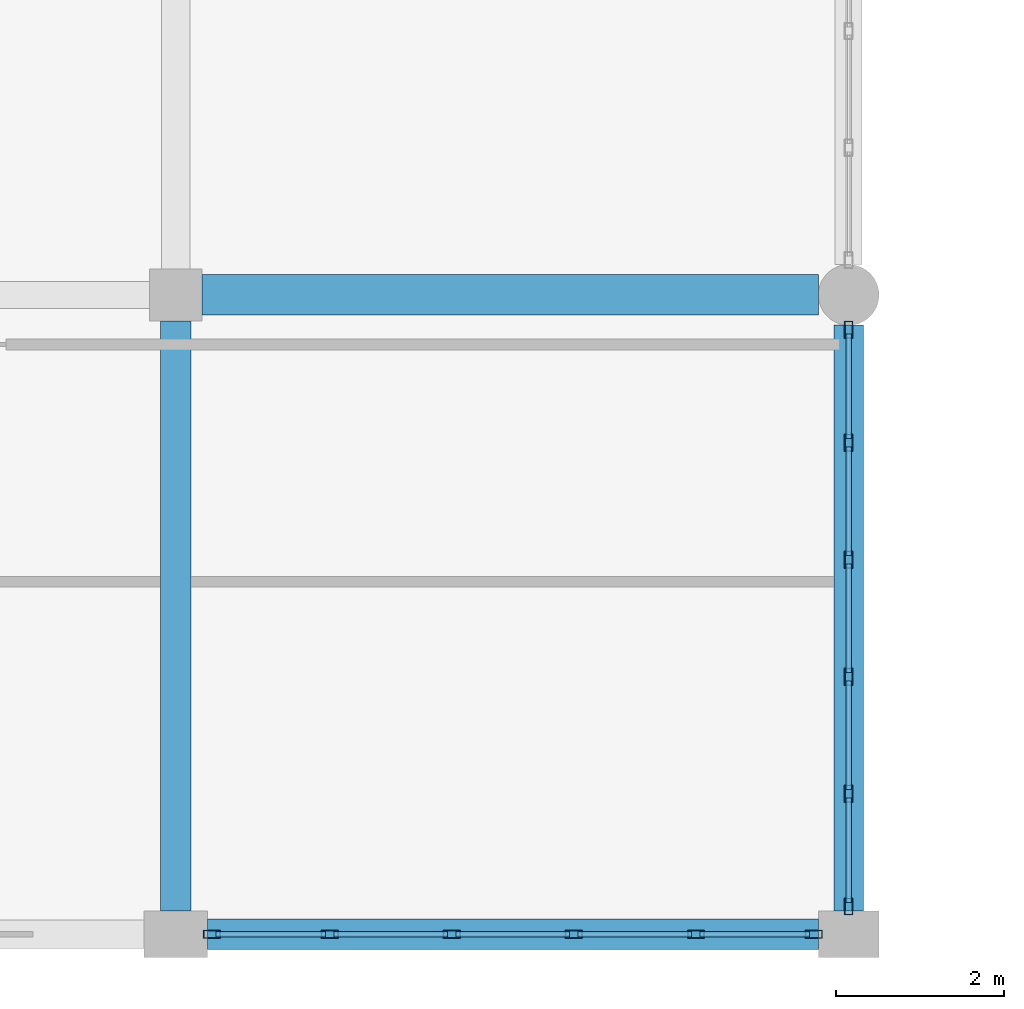
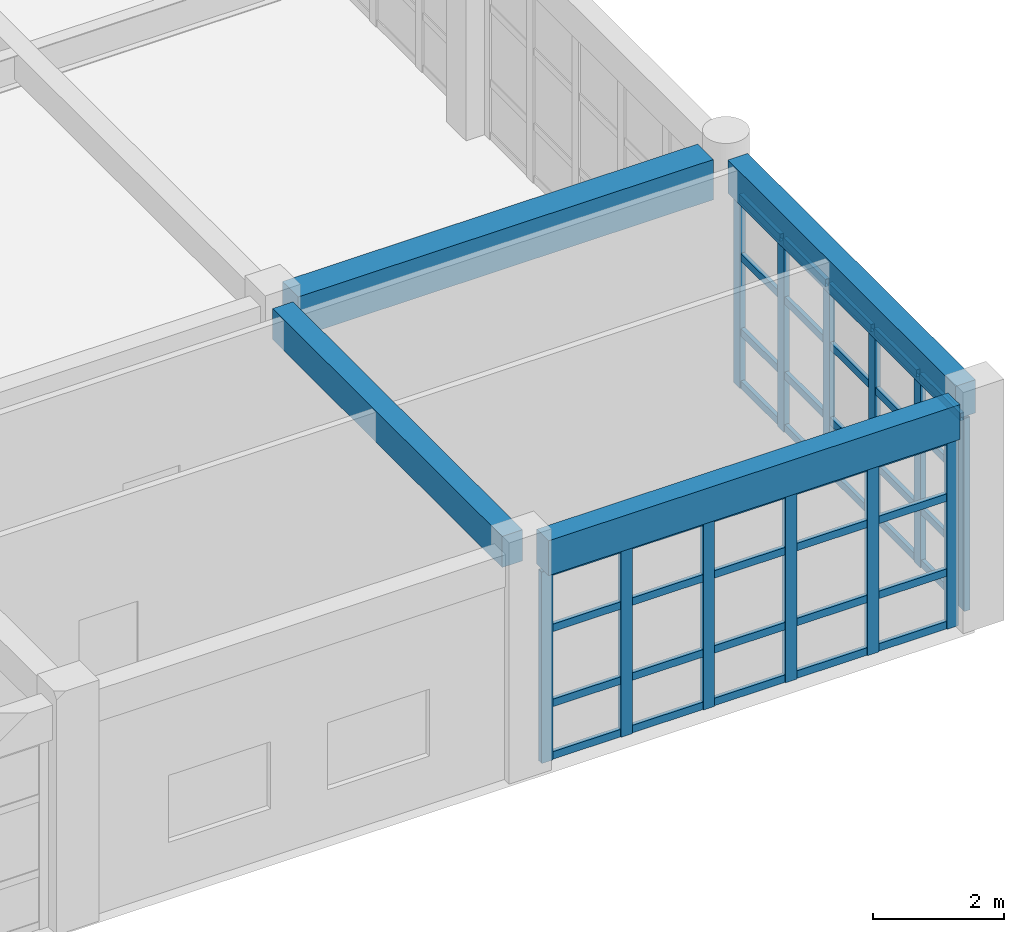
# One storey, part 86 of 160: 52 members, 4 beams, 2 elements without a shape of their own.
"""IFC4 building model written with IfcOpenShell, lengths in metres."""

from ifc_helpers import new_model, si_unit, direction, frame, origin, origin_2d, place, context, subcontext, project, spatial, rectangle, hollow_rectangle, extrude, material, material_profile, profile_set, type_object, element, aggregate, save


model = new_model("IFC4")

# Units and contexts
model_context = context("Model", 3, precision=1e-05, world=origin(), true_north=direction((0.0, 1.0)))
body_context = subcontext(model_context, "Body", "Model", "MODEL_VIEW")
ifc_project = project(units=[si_unit("LENGTHUNIT", "METRE"), si_unit("AREAUNIT", "SQUARE_METRE"), si_unit("VOLUMEUNIT", "CUBIC_METRE"), si_unit("PLANEANGLEUNIT", "RADIAN"), si_unit("MASSUNIT", "GRAM", prefix="KILO")], contexts=[model_context])

# Site, building, storey
site_placement = place(None, origin())
site = spatial("IfcSite", under=ifc_project, at=site_placement, CompositionType="ELEMENT")
building_placement = place(site_placement, origin())
building = spatial("IfcBuilding", under=site, at=building_placement, Name="Kharva Crest Polytechnic", CompositionType="ELEMENT")
storey_placement = place(building_placement, frame((0.0, 0.0, 4.5)))
storey = spatial("IfcBuildingStorey", under=building, at=storey_placement, Name="L01", CompositionType="ELEMENT", Elevation=4.5)

# Beams
ifc_material_1 = material(Name="Concrete C35/45", Category="concrete")
ifc_material_profile_1 = material_profile(ifc_material_1, rectangle(XDim=0.360107421875, YDim=0.580078125, at=origin_2d()), Name="RECT 360 X 580")
ifc_profile_set_1 = profile_set([ifc_material_profile_1], Name="Concrete C35/45")
beam_type_1 = type_object("IfcBeamType", Name="BM-RC-360X580", PredefinedType="BEAM", material=ifc_profile_set_1)
beam_1_placement = place(storey_placement, frame((160.800048828125, 0.27490234375, 3.929931640625), z_axis=(0.0, 1.0, 0.0), x_axis=(-1.0, 0.0, 0.0)))
element("IfcBeam", 1, at=beam_1_placement, inside=storey, type_object=beam_type_1, Name="L01 Girder 21/A-B", PredefinedType="BEAM", context=body_context, shape_type="SweptSolid", body=[
    extrude(rectangle(XDim=0.360107421875, YDim=0.580078125, at=origin_2d()), origin(), (0.0, 0.0, 1.0), 7.01513671875),
])
ifc_material_profile_2 = material_profile(ifc_material_1, rectangle(XDim=0.47998046875, YDim=0.75, at=origin_2d()), Name="RECT 480 X 750")
ifc_profile_set_2 = profile_set([ifc_material_profile_2], Name="Concrete C35/45")
beam_type_2 = type_object("IfcBeamType", Name="BM-RC-480X750", PredefinedType="BEAM", material=ifc_profile_set_2)
beam_2_placement = place(storey_placement, frame((161.110107421875, 7.60009765625, 3.844970703125), z_axis=(1.0, 0.0, 0.0), x_axis=(0.0, 1.0, 0.0)))
element("IfcBeam", 2, at=beam_2_placement, inside=storey, type_object=beam_type_2, Name="L01 Beam B/21-22", PredefinedType="BEAM", context=body_context, shape_type="SweptSolid", body=[
    extrude(rectangle(XDim=0.47998046875, YDim=0.75, at=origin_2d()), origin(), (0.0, 0.0, 1.0), 7.329833984375),
])

# Curtain wall, members
ifc_material_2 = material(Name="Tempered insulated glass", Category="glass")
curtain_wall_type = type_object("IfcCurtainWallType", Name="CW-SYS-REFECTORY", PredefinedType="USERDEFINED", material=ifc_material_2)
curtain_wall_1_placement = place(storey_placement, origin())
curtain_wall_1 = element("IfcCurtainWall", 3, at=curtain_wall_1_placement, inside=storey, type_object=curtain_wall_type, Name="L01 Glazed Curtain Wall CW-046", ObjectType="CURTAIN WALL", PredefinedType="USERDEFINED")
ifc_material_3 = material(Name="Steel S355", Category="steel")
ifc_material_profile_3 = material_profile(ifc_material_3, hollow_rectangle(XDim=0.10009765625, YDim=0.199951171875, WallThickness=0.00634765625, at=origin_2d()), Name="RHS 200X100X6.3")
ifc_profile_set_3 = profile_set([ifc_material_profile_3], Name="Steel S355")
member_type_1 = type_object("IfcMemberType", Name="CWM-RHS200X100", PredefinedType="MULLION", material=ifc_profile_set_3)
member_1_placement = place(storey_placement, frame((161.22998046875, 0.0, 0.0), z_axis=(0.0, 0.0, 1.0), x_axis=(0.0, 1.0, 0.0)))
member_1 = element("IfcMember", 4, at=member_1_placement, type_object=member_type_1, Name="CW-046 mullion 1", PredefinedType="MULLION", context=body_context, shape_type="SweptSolid", body=[
    extrude(hollow_rectangle(XDim=0.10009765625, YDim=0.199951171875, WallThickness=0.00634765625, at=origin_2d()), origin(), (0.0, 0.0, 1.0), 3.570068359375),
])
member_2_placement = place(storey_placement, frame((162.631103515625, 0.0, 0.0), z_axis=(0.0, 0.0, 1.0), x_axis=(0.0, 1.0, 0.0)))
member_2 = element("IfcMember", 5, at=member_2_placement, type_object=member_type_1, Name="CW-046 mullion 2", PredefinedType="MULLION", context=body_context, shape_type="SweptSolid", body=[
    extrude(hollow_rectangle(XDim=0.10009765625, YDim=0.199951171875, WallThickness=0.00634765625, at=origin_2d()), origin(), (0.0, 0.0, 1.0), 3.570068359375),
])
member_3_placement = place(storey_placement, frame((164.08203125, 0.0, 0.0), z_axis=(0.0, 0.0, 1.0), x_axis=(0.0, 1.0, 0.0)))
member_3 = element("IfcMember", 6, at=member_3_placement, type_object=member_type_1, Name="CW-046 mullion 3", PredefinedType="MULLION", context=body_context, shape_type="SweptSolid", body=[
    extrude(hollow_rectangle(XDim=0.10009765625, YDim=0.199951171875, WallThickness=0.00634765625, at=origin_2d()), origin(), (0.0, 0.0, 1.0), 3.570068359375),
])
member_4_placement = place(storey_placement, frame((165.532958984375, 0.0, 0.0), z_axis=(0.0, 0.0, 1.0), x_axis=(0.0, 1.0, 0.0)))
member_4 = element("IfcMember", 7, at=member_4_placement, type_object=member_type_1, Name="CW-046 mullion 4", PredefinedType="MULLION", context=body_context, shape_type="SweptSolid", body=[
    extrude(hollow_rectangle(XDim=0.10009765625, YDim=0.199951171875, WallThickness=0.00634765625, at=origin_2d()), origin(), (0.0, 0.0, 1.0), 3.570068359375),
])
member_5_placement = place(storey_placement, frame((166.98388671875, 0.0, 0.0), z_axis=(0.0, 0.0, 1.0), x_axis=(0.0, 1.0, 0.0)))
member_5 = element("IfcMember", 8, at=member_5_placement, type_object=member_type_1, Name="CW-046 mullion 5", PredefinedType="MULLION", context=body_context, shape_type="SweptSolid", body=[
    extrude(hollow_rectangle(XDim=0.10009765625, YDim=0.199951171875, WallThickness=0.00634765625, at=origin_2d()), origin(), (0.0, 0.0, 1.0), 3.570068359375),
])
member_6_placement = place(storey_placement, frame((168.385009765625, 0.0, 0.0), z_axis=(0.0, 0.0, 1.0), x_axis=(0.0, 1.0, 0.0)))
member_6 = element("IfcMember", 9, at=member_6_placement, type_object=member_type_1, Name="CW-046 mullion 6", PredefinedType="MULLION", context=body_context, shape_type="SweptSolid", body=[
    extrude(hollow_rectangle(XDim=0.10009765625, YDim=0.199951171875, WallThickness=0.00634765625, at=origin_2d()), origin(), (0.0, 0.0, 1.0), 3.570068359375),
])

curtain_wall_2_placement = place(storey_placement, origin())
curtain_wall_2 = element("IfcCurtainWall", 10, at=curtain_wall_2_placement, inside=storey, type_object=curtain_wall_type, Name="L01 Glazed Curtain Wall CW-047", ObjectType="CURTAIN WALL", PredefinedType="USERDEFINED")
member_7_placement = place(storey_placement, frame((168.800048828125, 0.330078125, 0.0), z_axis=(0.0, 0.0, 1.0), x_axis=(-1.0, 0.0, 0.0)))
member_7 = element("IfcMember", 11, at=member_7_placement, type_object=member_type_1, Name="CW-047 mullion 1", PredefinedType="MULLION", context=body_context, shape_type="SweptSolid", body=[
    extrude(hollow_rectangle(XDim=0.10009765625, YDim=0.199951171875, WallThickness=0.00634765625, at=origin_2d()), origin(), (0.0, 0.0, 1.0), 3.60009765625),
])
member_8_placement = place(storey_placement, frame((168.800048828125, 1.6708984375, 0.0), z_axis=(0.0, 0.0, 1.0), x_axis=(-1.0, 0.0, 0.0)))
member_8 = element("IfcMember", 12, at=member_8_placement, type_object=member_type_1, Name="CW-047 mullion 2", PredefinedType="MULLION", context=body_context, shape_type="SweptSolid", body=[
    extrude(hollow_rectangle(XDim=0.10009765625, YDim=0.199951171875, WallThickness=0.00634765625, at=origin_2d()), origin(), (0.0, 0.0, 1.0), 3.60009765625),
])
member_9_placement = place(storey_placement, frame((168.800048828125, 3.06201171875, 0.0), z_axis=(0.0, 0.0, 1.0), x_axis=(-1.0, 0.0, 0.0)))
member_9 = element("IfcMember", 13, at=member_9_placement, type_object=member_type_1, Name="CW-047 mullion 3", PredefinedType="MULLION", context=body_context, shape_type="SweptSolid", body=[
    extrude(hollow_rectangle(XDim=0.10009765625, YDim=0.199951171875, WallThickness=0.00634765625, at=origin_2d()), origin(), (0.0, 0.0, 1.0), 3.60009765625),
])
member_10_placement = place(storey_placement, frame((168.800048828125, 4.452880859375, 0.0), z_axis=(0.0, 0.0, 1.0), x_axis=(-1.0, 0.0, 0.0)))
member_10 = element("IfcMember", 14, at=member_10_placement, type_object=member_type_1, Name="CW-047 mullion 4", PredefinedType="MULLION", context=body_context, shape_type="SweptSolid", body=[
    extrude(hollow_rectangle(XDim=0.10009765625, YDim=0.199951171875, WallThickness=0.00634765625, at=origin_2d()), origin(), (0.0, 0.0, 1.0), 3.60009765625),
])
member_11_placement = place(storey_placement, frame((168.800048828125, 5.843994140625, 0.0), z_axis=(0.0, 0.0, 1.0), x_axis=(-1.0, 0.0, 0.0)))
member_11 = element("IfcMember", 15, at=member_11_placement, type_object=member_type_1, Name="CW-047 mullion 5", PredefinedType="MULLION", context=body_context, shape_type="SweptSolid", body=[
    extrude(hollow_rectangle(XDim=0.10009765625, YDim=0.199951171875, WallThickness=0.00634765625, at=origin_2d()), origin(), (0.0, 0.0, 1.0), 3.60009765625),
])
member_12_placement = place(storey_placement, frame((168.800048828125, 7.18505859375, 0.0), z_axis=(0.0, 0.0, 1.0), x_axis=(-1.0, 0.0, 0.0)))
member_12 = element("IfcMember", 16, at=member_12_placement, type_object=member_type_1, Name="CW-047 mullion 6", PredefinedType="MULLION", context=body_context, shape_type="SweptSolid", body=[
    extrude(hollow_rectangle(XDim=0.10009765625, YDim=0.199951171875, WallThickness=0.00634765625, at=origin_2d()), origin(), (0.0, 0.0, 1.0), 3.60009765625),
])

# Member
ifc_material_profile_4 = material_profile(ifc_material_3, hollow_rectangle(XDim=0.070068359375, YDim=0.139892578125, WallThickness=0.00390625, at=origin_2d()), Name="RHS 140X70X4.0")
ifc_profile_set_4 = profile_set([ifc_material_profile_4], Name="Steel S355")
member_type_2 = type_object("IfcMemberType", Name="CWT-RHS140X70", PredefinedType="USERDEFINED", material=ifc_profile_set_4)
member_13_placement = place(storey_placement, frame((161.280029296875, 0.0, 0.070068359375), z_axis=(1.0, 0.0, 0.0), x_axis=(0.0, 1.0, 0.0)))
member_13 = element("IfcMember", 17, at=member_13_placement, type_object=member_type_2, Name="CW-046 transom 1.1", ObjectType="TRANSOM", PredefinedType="USERDEFINED", context=body_context, shape_type="SweptSolid", body=[
    extrude(hollow_rectangle(XDim=0.070068359375, YDim=0.139892578125, WallThickness=0.00390625, at=origin_2d()), origin(), (0.0, 0.0, 1.0), 1.301025390625),
])

member_14_placement = place(storey_placement, frame((161.280029296875, 0.0, 1.050048828125), z_axis=(1.0, 0.0, 0.0), x_axis=(0.0, 1.0, 0.0)))
member_14 = element("IfcMember", 18, at=member_14_placement, type_object=member_type_2, Name="CW-046 transom 1.2", ObjectType="TRANSOM", PredefinedType="USERDEFINED", context=body_context, shape_type="SweptSolid", body=[
    extrude(hollow_rectangle(XDim=0.070068359375, YDim=0.139892578125, WallThickness=0.00390625, at=origin_2d()), origin(), (0.0, 0.0, 1.0), 1.301025390625),
])

member_15_placement = place(storey_placement, frame((161.280029296875, 0.0, 2.449951171875), z_axis=(1.0, 0.0, 0.0), x_axis=(0.0, 1.0, 0.0)))
member_15 = element("IfcMember", 19, at=member_15_placement, type_object=member_type_2, Name="CW-046 transom 1.3", ObjectType="TRANSOM", PredefinedType="USERDEFINED", context=body_context, shape_type="SweptSolid", body=[
    extrude(hollow_rectangle(XDim=0.070068359375, YDim=0.139892578125, WallThickness=0.00390625, at=origin_2d()), origin(), (0.0, 0.0, 1.0), 1.301025390625),
])

member_16_placement = place(storey_placement, frame((161.280029296875, 0.0, 3.5), z_axis=(1.0, 0.0, 0.0), x_axis=(0.0, 1.0, 0.0)))
member_16 = element("IfcMember", 20, at=member_16_placement, type_object=member_type_2, Name="CW-046 transom 1.4", ObjectType="TRANSOM", PredefinedType="USERDEFINED", context=body_context, shape_type="SweptSolid", body=[
    extrude(hollow_rectangle(XDim=0.070068359375, YDim=0.139892578125, WallThickness=0.00390625, at=origin_2d()), origin(), (0.0, 0.0, 1.0), 1.301025390625),
])

member_17_placement = place(storey_placement, frame((162.680908203125, 0.0, 0.070068359375), z_axis=(1.0, 0.0, 0.0), x_axis=(0.0, 1.0, 0.0)))
member_17 = element("IfcMember", 21, at=member_17_placement, type_object=member_type_2, Name="CW-046 transom 2.1", ObjectType="TRANSOM", PredefinedType="USERDEFINED", context=body_context, shape_type="SweptSolid", body=[
    extrude(hollow_rectangle(XDim=0.070068359375, YDim=0.139892578125, WallThickness=0.00390625, at=origin_2d()), origin(), (0.0, 0.0, 1.0), 1.35107421875),
])

member_18_placement = place(storey_placement, frame((162.680908203125, 0.0, 1.050048828125), z_axis=(1.0, 0.0, 0.0), x_axis=(0.0, 1.0, 0.0)))
member_18 = element("IfcMember", 22, at=member_18_placement, type_object=member_type_2, Name="CW-046 transom 2.2", ObjectType="TRANSOM", PredefinedType="USERDEFINED", context=body_context, shape_type="SweptSolid", body=[
    extrude(hollow_rectangle(XDim=0.070068359375, YDim=0.139892578125, WallThickness=0.00390625, at=origin_2d()), origin(), (0.0, 0.0, 1.0), 1.35107421875),
])

member_19_placement = place(storey_placement, frame((162.680908203125, 0.0, 2.449951171875), z_axis=(1.0, 0.0, 0.0), x_axis=(0.0, 1.0, 0.0)))
member_19 = element("IfcMember", 23, at=member_19_placement, type_object=member_type_2, Name="CW-046 transom 2.3", ObjectType="TRANSOM", PredefinedType="USERDEFINED", context=body_context, shape_type="SweptSolid", body=[
    extrude(hollow_rectangle(XDim=0.070068359375, YDim=0.139892578125, WallThickness=0.00390625, at=origin_2d()), origin(), (0.0, 0.0, 1.0), 1.35107421875),
])

member_20_placement = place(storey_placement, frame((162.680908203125, 0.0, 3.5), z_axis=(1.0, 0.0, 0.0), x_axis=(0.0, 1.0, 0.0)))
member_20 = element("IfcMember", 24, at=member_20_placement, type_object=member_type_2, Name="CW-046 transom 2.4", ObjectType="TRANSOM", PredefinedType="USERDEFINED", context=body_context, shape_type="SweptSolid", body=[
    extrude(hollow_rectangle(XDim=0.070068359375, YDim=0.139892578125, WallThickness=0.00390625, at=origin_2d()), origin(), (0.0, 0.0, 1.0), 1.35107421875),
])

member_21_placement = place(storey_placement, frame((164.132080078125, 0.0, 0.070068359375), z_axis=(1.0, 0.0, 0.0), x_axis=(0.0, 1.0, 0.0)))
member_21 = element("IfcMember", 25, at=member_21_placement, type_object=member_type_2, Name="CW-046 transom 3.1", ObjectType="TRANSOM", PredefinedType="USERDEFINED", context=body_context, shape_type="SweptSolid", body=[
    extrude(hollow_rectangle(XDim=0.070068359375, YDim=0.139892578125, WallThickness=0.00390625, at=origin_2d()), origin(), (0.0, 0.0, 1.0), 1.350830078125),
])

member_22_placement = place(storey_placement, frame((164.132080078125, 0.0, 1.050048828125), z_axis=(1.0, 0.0, 0.0), x_axis=(0.0, 1.0, 0.0)))
member_22 = element("IfcMember", 26, at=member_22_placement, type_object=member_type_2, Name="CW-046 transom 3.2", ObjectType="TRANSOM", PredefinedType="USERDEFINED", context=body_context, shape_type="SweptSolid", body=[
    extrude(hollow_rectangle(XDim=0.070068359375, YDim=0.139892578125, WallThickness=0.00390625, at=origin_2d()), origin(), (0.0, 0.0, 1.0), 1.350830078125),
])

member_23_placement = place(storey_placement, frame((164.132080078125, 0.0, 2.449951171875), z_axis=(1.0, 0.0, 0.0), x_axis=(0.0, 1.0, 0.0)))
member_23 = element("IfcMember", 27, at=member_23_placement, type_object=member_type_2, Name="CW-046 transom 3.3", ObjectType="TRANSOM", PredefinedType="USERDEFINED", context=body_context, shape_type="SweptSolid", body=[
    extrude(hollow_rectangle(XDim=0.070068359375, YDim=0.139892578125, WallThickness=0.00390625, at=origin_2d()), origin(), (0.0, 0.0, 1.0), 1.350830078125),
])

member_24_placement = place(storey_placement, frame((164.132080078125, 0.0, 3.5), z_axis=(1.0, 0.0, 0.0), x_axis=(0.0, 1.0, 0.0)))
member_24 = element("IfcMember", 28, at=member_24_placement, type_object=member_type_2, Name="CW-046 transom 3.4", ObjectType="TRANSOM", PredefinedType="USERDEFINED", context=body_context, shape_type="SweptSolid", body=[
    extrude(hollow_rectangle(XDim=0.070068359375, YDim=0.139892578125, WallThickness=0.00390625, at=origin_2d()), origin(), (0.0, 0.0, 1.0), 1.350830078125),
])

member_25_placement = place(storey_placement, frame((165.5830078125, 0.0, 0.070068359375), z_axis=(1.0, 0.0, 0.0), x_axis=(0.0, 1.0, 0.0)))
member_25 = element("IfcMember", 29, at=member_25_placement, type_object=member_type_2, Name="CW-046 transom 4.1", ObjectType="TRANSOM", PredefinedType="USERDEFINED", context=body_context, shape_type="SweptSolid", body=[
    extrude(hollow_rectangle(XDim=0.070068359375, YDim=0.139892578125, WallThickness=0.00390625, at=origin_2d()), origin(), (0.0, 0.0, 1.0), 1.35107421875),
])

member_26_placement = place(storey_placement, frame((165.5830078125, 0.0, 1.050048828125), z_axis=(1.0, 0.0, 0.0), x_axis=(0.0, 1.0, 0.0)))
member_26 = element("IfcMember", 30, at=member_26_placement, type_object=member_type_2, Name="CW-046 transom 4.2", ObjectType="TRANSOM", PredefinedType="USERDEFINED", context=body_context, shape_type="SweptSolid", body=[
    extrude(hollow_rectangle(XDim=0.070068359375, YDim=0.139892578125, WallThickness=0.00390625, at=origin_2d()), origin(), (0.0, 0.0, 1.0), 1.35107421875),
])

member_27_placement = place(storey_placement, frame((165.5830078125, 0.0, 2.449951171875), z_axis=(1.0, 0.0, 0.0), x_axis=(0.0, 1.0, 0.0)))
member_27 = element("IfcMember", 31, at=member_27_placement, type_object=member_type_2, Name="CW-046 transom 4.3", ObjectType="TRANSOM", PredefinedType="USERDEFINED", context=body_context, shape_type="SweptSolid", body=[
    extrude(hollow_rectangle(XDim=0.070068359375, YDim=0.139892578125, WallThickness=0.00390625, at=origin_2d()), origin(), (0.0, 0.0, 1.0), 1.35107421875),
])

member_28_placement = place(storey_placement, frame((165.5830078125, 0.0, 3.5), z_axis=(1.0, 0.0, 0.0), x_axis=(0.0, 1.0, 0.0)))
member_28 = element("IfcMember", 32, at=member_28_placement, type_object=member_type_2, Name="CW-046 transom 4.4", ObjectType="TRANSOM", PredefinedType="USERDEFINED", context=body_context, shape_type="SweptSolid", body=[
    extrude(hollow_rectangle(XDim=0.070068359375, YDim=0.139892578125, WallThickness=0.00390625, at=origin_2d()), origin(), (0.0, 0.0, 1.0), 1.35107421875),
])

member_29_placement = place(storey_placement, frame((167.033935546875, 0.0, 0.070068359375), z_axis=(1.0, 0.0, 0.0), x_axis=(0.0, 1.0, 0.0)))
member_29 = element("IfcMember", 33, at=member_29_placement, type_object=member_type_2, Name="CW-046 transom 5.1", ObjectType="TRANSOM", PredefinedType="USERDEFINED", context=body_context, shape_type="SweptSolid", body=[
    extrude(hollow_rectangle(XDim=0.070068359375, YDim=0.139892578125, WallThickness=0.00390625, at=origin_2d()), origin(), (0.0, 0.0, 1.0), 1.301025390625),
])

member_30_placement = place(storey_placement, frame((167.033935546875, 0.0, 1.050048828125), z_axis=(1.0, 0.0, 0.0), x_axis=(0.0, 1.0, 0.0)))
member_30 = element("IfcMember", 34, at=member_30_placement, type_object=member_type_2, Name="CW-046 transom 5.2", ObjectType="TRANSOM", PredefinedType="USERDEFINED", context=body_context, shape_type="SweptSolid", body=[
    extrude(hollow_rectangle(XDim=0.070068359375, YDim=0.139892578125, WallThickness=0.00390625, at=origin_2d()), origin(), (0.0, 0.0, 1.0), 1.301025390625),
])

member_31_placement = place(storey_placement, frame((167.033935546875, 0.0, 2.449951171875), z_axis=(1.0, 0.0, 0.0), x_axis=(0.0, 1.0, 0.0)))
member_31 = element("IfcMember", 35, at=member_31_placement, type_object=member_type_2, Name="CW-046 transom 5.3", ObjectType="TRANSOM", PredefinedType="USERDEFINED", context=body_context, shape_type="SweptSolid", body=[
    extrude(hollow_rectangle(XDim=0.070068359375, YDim=0.139892578125, WallThickness=0.00390625, at=origin_2d()), origin(), (0.0, 0.0, 1.0), 1.301025390625),
])

member_32_placement = place(storey_placement, frame((167.033935546875, 0.0, 3.5), z_axis=(1.0, 0.0, 0.0), x_axis=(0.0, 1.0, 0.0)))
member_32 = element("IfcMember", 36, at=member_32_placement, type_object=member_type_2, Name="CW-046 transom 5.4", ObjectType="TRANSOM", PredefinedType="USERDEFINED", context=body_context, shape_type="SweptSolid", body=[
    extrude(hollow_rectangle(XDim=0.070068359375, YDim=0.139892578125, WallThickness=0.00390625, at=origin_2d()), origin(), (0.0, 0.0, 1.0), 1.301025390625),
])

aggregate(curtain_wall_1, [member_1, member_2, member_3, member_4, member_5, member_6, member_13, member_14, member_15, member_16, member_17, member_18, member_19, member_20, member_21, member_22, member_23, member_24, member_25, member_26, member_27, member_28, member_29, member_30, member_31, member_32])

member_33_placement = place(storey_placement, frame((168.800048828125, 0.3798828125, 0.070068359375), z_axis=(0.0, 1.0, 0.0), x_axis=(-1.0, 0.0, 0.0)))
member_33 = element("IfcMember", 37, at=member_33_placement, type_object=member_type_2, Name="CW-047 transom 1.1", ObjectType="TRANSOM", PredefinedType="USERDEFINED", context=body_context, shape_type="SweptSolid", body=[
    extrude(hollow_rectangle(XDim=0.070068359375, YDim=0.139892578125, WallThickness=0.00390625, at=origin_2d()), origin(), (0.0, 0.0, 1.0), 1.2412109375),
])

member_34_placement = place(storey_placement, frame((168.800048828125, 0.3798828125, 1.050048828125), z_axis=(0.0, 1.0, 0.0), x_axis=(-1.0, 0.0, 0.0)))
member_34 = element("IfcMember", 38, at=member_34_placement, type_object=member_type_2, Name="CW-047 transom 1.2", ObjectType="TRANSOM", PredefinedType="USERDEFINED", context=body_context, shape_type="SweptSolid", body=[
    extrude(hollow_rectangle(XDim=0.070068359375, YDim=0.139892578125, WallThickness=0.00390625, at=origin_2d()), origin(), (0.0, 0.0, 1.0), 1.2412109375),
])

member_35_placement = place(storey_placement, frame((168.800048828125, 0.3798828125, 2.449951171875), z_axis=(0.0, 1.0, 0.0), x_axis=(-1.0, 0.0, 0.0)))
member_35 = element("IfcMember", 39, at=member_35_placement, type_object=member_type_2, Name="CW-047 transom 1.3", ObjectType="TRANSOM", PredefinedType="USERDEFINED", context=body_context, shape_type="SweptSolid", body=[
    extrude(hollow_rectangle(XDim=0.070068359375, YDim=0.139892578125, WallThickness=0.00390625, at=origin_2d()), origin(), (0.0, 0.0, 1.0), 1.2412109375),
])

member_36_placement = place(storey_placement, frame((168.800048828125, 0.3798828125, 3.530029296875), z_axis=(0.0, 1.0, 0.0), x_axis=(-1.0, 0.0, 0.0)))
member_36 = element("IfcMember", 40, at=member_36_placement, type_object=member_type_2, Name="CW-047 transom 1.4", ObjectType="TRANSOM", PredefinedType="USERDEFINED", context=body_context, shape_type="SweptSolid", body=[
    extrude(hollow_rectangle(XDim=0.070068359375, YDim=0.139892578125, WallThickness=0.00390625, at=origin_2d()), origin(), (0.0, 0.0, 1.0), 1.2412109375),
])

member_37_placement = place(storey_placement, frame((168.800048828125, 1.720947265625, 0.070068359375), z_axis=(0.0, 1.0, 0.0), x_axis=(-1.0, 0.0, 0.0)))
member_37 = element("IfcMember", 41, at=member_37_placement, type_object=member_type_2, Name="CW-047 transom 2.1", ObjectType="TRANSOM", PredefinedType="USERDEFINED", context=body_context, shape_type="SweptSolid", body=[
    extrude(hollow_rectangle(XDim=0.070068359375, YDim=0.139892578125, WallThickness=0.00390625, at=origin_2d()), origin(), (0.0, 0.0, 1.0), 1.291015625),
])

member_38_placement = place(storey_placement, frame((168.800048828125, 1.720947265625, 1.050048828125), z_axis=(0.0, 1.0, 0.0), x_axis=(-1.0, 0.0, 0.0)))
member_38 = element("IfcMember", 42, at=member_38_placement, type_object=member_type_2, Name="CW-047 transom 2.2", ObjectType="TRANSOM", PredefinedType="USERDEFINED", context=body_context, shape_type="SweptSolid", body=[
    extrude(hollow_rectangle(XDim=0.070068359375, YDim=0.139892578125, WallThickness=0.00390625, at=origin_2d()), origin(), (0.0, 0.0, 1.0), 1.291015625),
])

member_39_placement = place(storey_placement, frame((168.800048828125, 1.720947265625, 2.449951171875), z_axis=(0.0, 1.0, 0.0), x_axis=(-1.0, 0.0, 0.0)))
member_39 = element("IfcMember", 43, at=member_39_placement, type_object=member_type_2, Name="CW-047 transom 2.3", ObjectType="TRANSOM", PredefinedType="USERDEFINED", context=body_context, shape_type="SweptSolid", body=[
    extrude(hollow_rectangle(XDim=0.070068359375, YDim=0.139892578125, WallThickness=0.00390625, at=origin_2d()), origin(), (0.0, 0.0, 1.0), 1.291015625),
])

member_40_placement = place(storey_placement, frame((168.800048828125, 1.720947265625, 3.530029296875), z_axis=(0.0, 1.0, 0.0), x_axis=(-1.0, 0.0, 0.0)))
member_40 = element("IfcMember", 44, at=member_40_placement, type_object=member_type_2, Name="CW-047 transom 2.4", ObjectType="TRANSOM", PredefinedType="USERDEFINED", context=body_context, shape_type="SweptSolid", body=[
    extrude(hollow_rectangle(XDim=0.070068359375, YDim=0.139892578125, WallThickness=0.00390625, at=origin_2d()), origin(), (0.0, 0.0, 1.0), 1.291015625),
])

member_41_placement = place(storey_placement, frame((168.800048828125, 3.112060546875, 0.070068359375), z_axis=(0.0, 1.0, 0.0), x_axis=(-1.0, 0.0, 0.0)))
member_41 = element("IfcMember", 45, at=member_41_placement, type_object=member_type_2, Name="CW-047 transom 3.1", ObjectType="TRANSOM", PredefinedType="USERDEFINED", context=body_context, shape_type="SweptSolid", body=[
    extrude(hollow_rectangle(XDim=0.070068359375, YDim=0.139892578125, WallThickness=0.00390625, at=origin_2d()), origin(), (0.0, 0.0, 1.0), 1.291015625),
])

member_42_placement = place(storey_placement, frame((168.800048828125, 3.112060546875, 1.050048828125), z_axis=(0.0, 1.0, 0.0), x_axis=(-1.0, 0.0, 0.0)))
member_42 = element("IfcMember", 46, at=member_42_placement, type_object=member_type_2, Name="CW-047 transom 3.2", ObjectType="TRANSOM", PredefinedType="USERDEFINED", context=body_context, shape_type="SweptSolid", body=[
    extrude(hollow_rectangle(XDim=0.070068359375, YDim=0.139892578125, WallThickness=0.00390625, at=origin_2d()), origin(), (0.0, 0.0, 1.0), 1.291015625),
])

member_43_placement = place(storey_placement, frame((168.800048828125, 3.112060546875, 2.449951171875), z_axis=(0.0, 1.0, 0.0), x_axis=(-1.0, 0.0, 0.0)))
member_43 = element("IfcMember", 47, at=member_43_placement, type_object=member_type_2, Name="CW-047 transom 3.3", ObjectType="TRANSOM", PredefinedType="USERDEFINED", context=body_context, shape_type="SweptSolid", body=[
    extrude(hollow_rectangle(XDim=0.070068359375, YDim=0.139892578125, WallThickness=0.00390625, at=origin_2d()), origin(), (0.0, 0.0, 1.0), 1.291015625),
])

member_44_placement = place(storey_placement, frame((168.800048828125, 3.112060546875, 3.530029296875), z_axis=(0.0, 1.0, 0.0), x_axis=(-1.0, 0.0, 0.0)))
member_44 = element("IfcMember", 48, at=member_44_placement, type_object=member_type_2, Name="CW-047 transom 3.4", ObjectType="TRANSOM", PredefinedType="USERDEFINED", context=body_context, shape_type="SweptSolid", body=[
    extrude(hollow_rectangle(XDim=0.070068359375, YDim=0.139892578125, WallThickness=0.00390625, at=origin_2d()), origin(), (0.0, 0.0, 1.0), 1.291015625),
])

member_45_placement = place(storey_placement, frame((168.800048828125, 4.5029296875, 0.070068359375), z_axis=(0.0, 1.0, 0.0), x_axis=(-1.0, 0.0, 0.0)))
member_45 = element("IfcMember", 49, at=member_45_placement, type_object=member_type_2, Name="CW-047 transom 4.1", ObjectType="TRANSOM", PredefinedType="USERDEFINED", context=body_context, shape_type="SweptSolid", body=[
    extrude(hollow_rectangle(XDim=0.070068359375, YDim=0.139892578125, WallThickness=0.00390625, at=origin_2d()), origin(), (0.0, 0.0, 1.0), 1.291015625),
])

member_46_placement = place(storey_placement, frame((168.800048828125, 4.5029296875, 1.050048828125), z_axis=(0.0, 1.0, 0.0), x_axis=(-1.0, 0.0, 0.0)))
member_46 = element("IfcMember", 50, at=member_46_placement, type_object=member_type_2, Name="CW-047 transom 4.2", ObjectType="TRANSOM", PredefinedType="USERDEFINED", context=body_context, shape_type="SweptSolid", body=[
    extrude(hollow_rectangle(XDim=0.070068359375, YDim=0.139892578125, WallThickness=0.00390625, at=origin_2d()), origin(), (0.0, 0.0, 1.0), 1.291015625),
])

member_47_placement = place(storey_placement, frame((168.800048828125, 4.5029296875, 2.449951171875), z_axis=(0.0, 1.0, 0.0), x_axis=(-1.0, 0.0, 0.0)))
member_47 = element("IfcMember", 51, at=member_47_placement, type_object=member_type_2, Name="CW-047 transom 4.3", ObjectType="TRANSOM", PredefinedType="USERDEFINED", context=body_context, shape_type="SweptSolid", body=[
    extrude(hollow_rectangle(XDim=0.070068359375, YDim=0.139892578125, WallThickness=0.00390625, at=origin_2d()), origin(), (0.0, 0.0, 1.0), 1.291015625),
])

member_48_placement = place(storey_placement, frame((168.800048828125, 4.5029296875, 3.530029296875), z_axis=(0.0, 1.0, 0.0), x_axis=(-1.0, 0.0, 0.0)))
member_48 = element("IfcMember", 52, at=member_48_placement, type_object=member_type_2, Name="CW-047 transom 4.4", ObjectType="TRANSOM", PredefinedType="USERDEFINED", context=body_context, shape_type="SweptSolid", body=[
    extrude(hollow_rectangle(XDim=0.070068359375, YDim=0.139892578125, WallThickness=0.00390625, at=origin_2d()), origin(), (0.0, 0.0, 1.0), 1.291015625),
])

member_49_placement = place(storey_placement, frame((168.800048828125, 5.89404296875, 0.070068359375), z_axis=(0.0, 1.0, 0.0), x_axis=(-1.0, 0.0, 0.0)))
member_49 = element("IfcMember", 53, at=member_49_placement, type_object=member_type_2, Name="CW-047 transom 5.1", ObjectType="TRANSOM", PredefinedType="USERDEFINED", context=body_context, shape_type="SweptSolid", body=[
    extrude(hollow_rectangle(XDim=0.070068359375, YDim=0.139892578125, WallThickness=0.00390625, at=origin_2d()), origin(), (0.0, 0.0, 1.0), 1.240966796875),
])

member_50_placement = place(storey_placement, frame((168.800048828125, 5.89404296875, 1.050048828125), z_axis=(0.0, 1.0, 0.0), x_axis=(-1.0, 0.0, 0.0)))
member_50 = element("IfcMember", 54, at=member_50_placement, type_object=member_type_2, Name="CW-047 transom 5.2", ObjectType="TRANSOM", PredefinedType="USERDEFINED", context=body_context, shape_type="SweptSolid", body=[
    extrude(hollow_rectangle(XDim=0.070068359375, YDim=0.139892578125, WallThickness=0.00390625, at=origin_2d()), origin(), (0.0, 0.0, 1.0), 1.240966796875),
])

member_51_placement = place(storey_placement, frame((168.800048828125, 5.89404296875, 2.449951171875), z_axis=(0.0, 1.0, 0.0), x_axis=(-1.0, 0.0, 0.0)))
member_51 = element("IfcMember", 55, at=member_51_placement, type_object=member_type_2, Name="CW-047 transom 5.3", ObjectType="TRANSOM", PredefinedType="USERDEFINED", context=body_context, shape_type="SweptSolid", body=[
    extrude(hollow_rectangle(XDim=0.070068359375, YDim=0.139892578125, WallThickness=0.00390625, at=origin_2d()), origin(), (0.0, 0.0, 1.0), 1.240966796875),
])

member_52_placement = place(storey_placement, frame((168.800048828125, 5.89404296875, 3.530029296875), z_axis=(0.0, 1.0, 0.0), x_axis=(-1.0, 0.0, 0.0)))
member_52 = element("IfcMember", 56, at=member_52_placement, type_object=member_type_2, Name="CW-047 transom 5.4", ObjectType="TRANSOM", PredefinedType="USERDEFINED", context=body_context, shape_type="SweptSolid", body=[
    extrude(hollow_rectangle(XDim=0.070068359375, YDim=0.139892578125, WallThickness=0.00390625, at=origin_2d()), origin(), (0.0, 0.0, 1.0), 1.240966796875),
])

aggregate(curtain_wall_2, [member_7, member_8, member_9, member_10, member_11, member_12, member_33, member_34, member_35, member_36, member_37, member_38, member_39, member_40, member_41, member_42, member_43, member_44, member_45, member_46, member_47, member_48, member_49, member_50, member_51, member_52])

# Beams
ifc_material_profile_5 = material_profile(ifc_material_1, rectangle(XDim=0.35009765625, YDim=0.6201171875, at=origin_2d()), Name="RECT 350 X 620")
ifc_profile_set_5 = profile_set([ifc_material_profile_5], Name="Concrete C35/45")
beam_type_3 = type_object("IfcBeamType", Name="SP-RC-350X620", PredefinedType="SPANDREL", material=ifc_profile_set_5)
beam_3_placement = place(storey_placement, frame((168.800048828125, 0.27490234375, 3.909912109375), z_axis=(0.0, 1.0, 0.0), x_axis=(-1.0, 0.0, 0.0)))
element("IfcBeam", 57, at=beam_3_placement, inside=storey, type_object=beam_type_3, Name="L01 Girder 22/A-B", PredefinedType="SPANDREL", context=body_context, shape_type="SweptSolid", body=[
    extrude(rectangle(XDim=0.35009765625, YDim=0.6201171875, at=origin_2d()), origin(), (0.0, 0.0, 1.0), 6.965087890625),
])
ifc_material_profile_6 = material_profile(ifc_material_1, rectangle(XDim=0.360107421875, YDim=0.64990234375, at=origin_2d()), Name="RECT 360 X 650")
ifc_profile_set_6 = profile_set([ifc_material_profile_6], Name="Concrete C35/45")
beam_type_4 = type_object("IfcBeamType", Name="SP-RC-360X650", PredefinedType="SPANDREL", material=ifc_profile_set_6)
beam_4_placement = place(storey_placement, frame((161.175048828125, 0.0, 3.89501953125), z_axis=(1.0, 0.0, 0.0), x_axis=(0.0, 1.0, 0.0)))
element("IfcBeam", 58, at=beam_4_placement, inside=storey, type_object=beam_type_4, Name="L01 Beam A/21-22", PredefinedType="SPANDREL", context=body_context, shape_type="SweptSolid", body=[
    extrude(rectangle(XDim=0.360107421875, YDim=0.64990234375, at=origin_2d()), origin(), (0.0, 0.0, 1.0), 7.264892578125),
])

save(model, "model.ifc")
